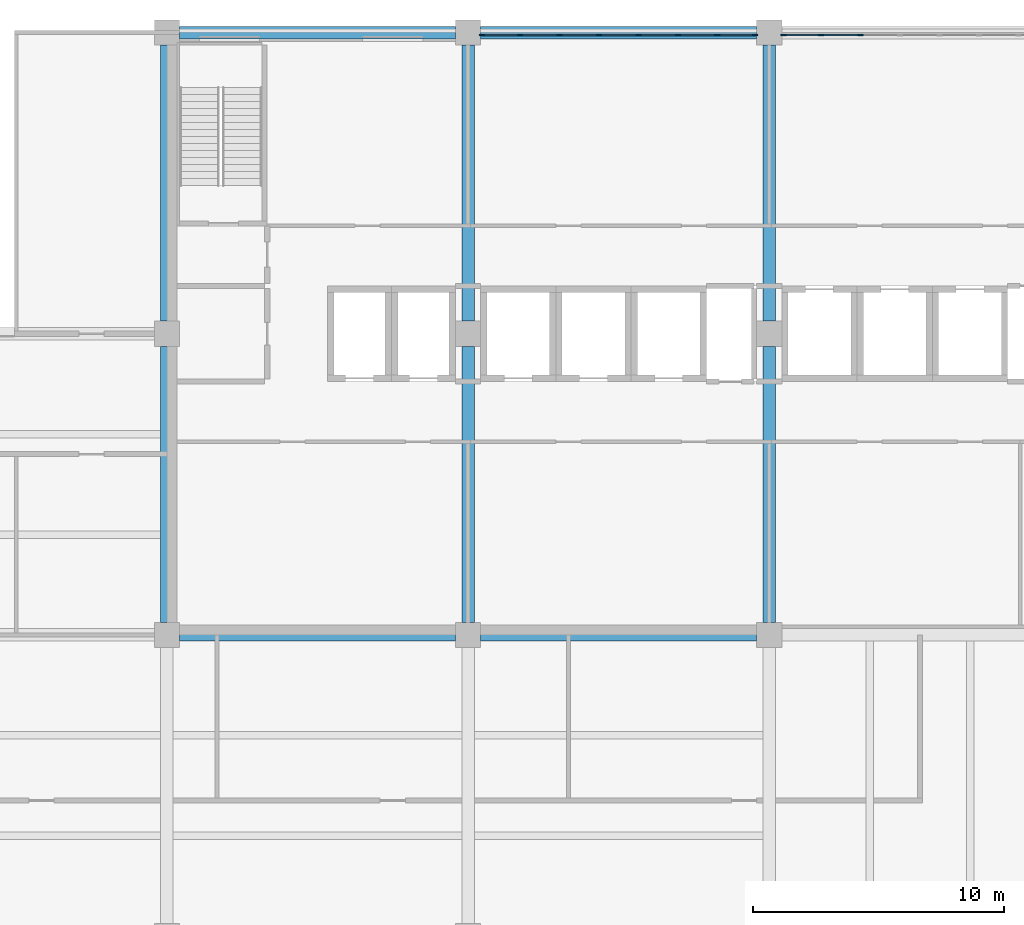
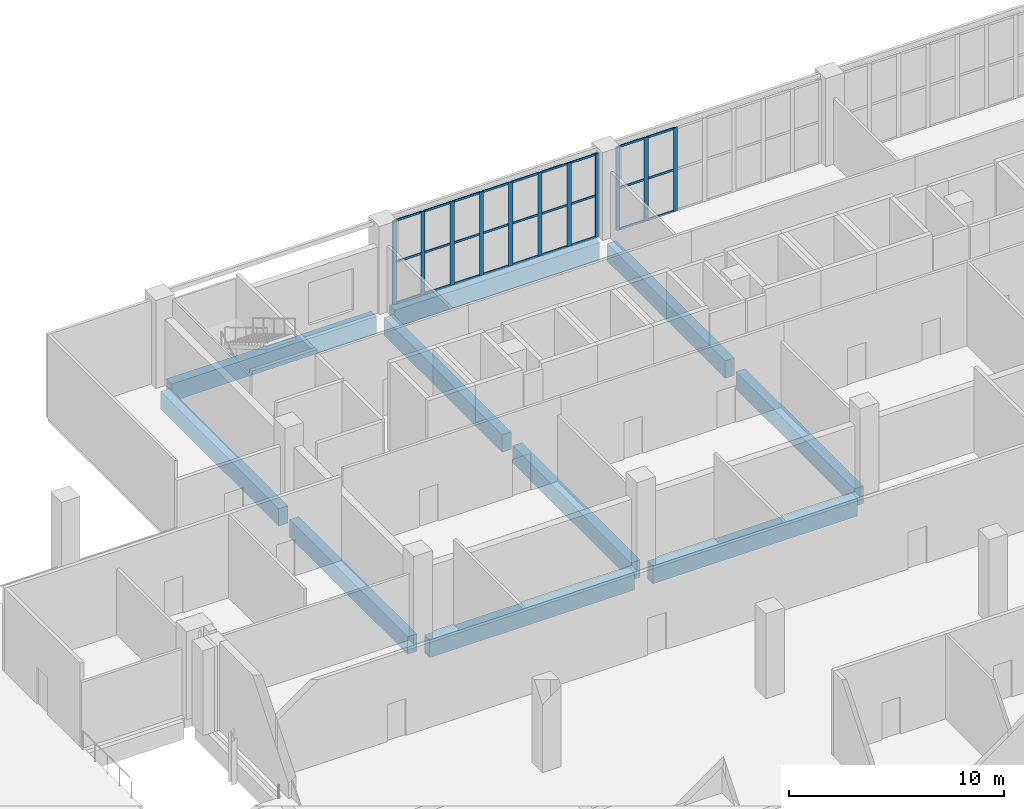
# One storey, part 39 of 69: 38 members, 10 beams, 2 elements without a shape of their own.
"""IFC4 building model written with IfcOpenShell, lengths in metres."""

from ifc_helpers import new_model, si_unit, direction, frame, origin, origin_2d, place, context, subcontext, project, spatial, rectangle, extrude, material, layer, layer_set, material_profile, profile_set, type_object, element, aggregate, save


model = new_model("IFC4")

# Units and contexts
model_context = context("Model", 3, precision=1e-05, world=origin(), true_north=direction((0.0, 1.0)))
body_context = subcontext(model_context, "Body", "Model", "MODEL_VIEW")
ifc_project = project(units=[si_unit("LENGTHUNIT", "METRE"), si_unit("AREAUNIT", "SQUARE_METRE"), si_unit("VOLUMEUNIT", "CUBIC_METRE"), si_unit("PLANEANGLEUNIT", "RADIAN"), si_unit("MASSUNIT", "GRAM", prefix="KILO")], contexts=[model_context])

# Site, building, storey
site_placement = place(None, origin())
site = spatial("IfcSite", under=ifc_project, at=site_placement, CompositionType="ELEMENT")
building_placement = place(site_placement, origin())
building = spatial("IfcBuilding", under=site, at=building_placement, Name="Lilac Gate Convention Centre", CompositionType="ELEMENT")
storey_placement = place(building_placement, frame((0.0, 0.0, 12.0)))
storey = spatial("IfcBuildingStorey", under=building, at=storey_placement, Name="L02", CompositionType="ELEMENT", Elevation=12.0)

# Curtain wall, members
ifc_material_1 = material(Name="Aluminium framed double glazing", Category="aluminium")
ifc_layer = layer(ifc_material_1, 0.199951171875)
ifc_layer_set = layer_set([ifc_layer], Name="Aluminium framed double glazing")
curtain_wall_type = type_object("IfcCurtainWallType", Name="Unitised curtain wall 1500", PredefinedType="NOTDEFINED", material=ifc_layer_set)
curtain_wall_1_placement = place(storey_placement, origin())
curtain_wall_1 = element("IfcCurtainWall", 1, at=curtain_wall_1_placement, inside=storey, type_object=curtain_wall_type, Name="Curtain wall N L02 2", PredefinedType="NOTDEFINED")
ifc_material_2 = material(Name="Aluminium alloy 6063", Category="aluminium")
ifc_material_profile_1 = material_profile(ifc_material_2, rectangle(XDim=0.06005859375, YDim=0.219970703125, at=origin_2d()), Name="Curtain wall mullion 60 x 220")
ifc_profile_set_1 = profile_set([ifc_material_profile_1], Name="Aluminium alloy 6063")
member_type_1 = type_object("IfcMemberType", Name="Curtain wall mullion 60 x 220", PredefinedType="MULLION", material=ifc_profile_set_1)
member_1_placement = place(storey_placement, frame((69.642822265625, 245.89990234375, 0.0), z_axis=(0.0, 0.0, 1.0), x_axis=(0.0, -1.0, 0.0)))
member_1 = element("IfcMember", 2, at=member_1_placement, type_object=member_type_1, Name="CW mullion 6", PredefinedType="MULLION", context=body_context, shape_type="SweptSolid", body=[
    extrude(rectangle(XDim=0.06005859375, YDim=0.219970703125, at=origin_2d()), origin(), (0.0, 0.0, 1.0), 4.75),
])
member_2_placement = place(storey_placement, frame((68.071533203125, 245.89990234375, 0.0), z_axis=(0.0, 0.0, 1.0), x_axis=(0.0, -1.0, 0.0)))
member_2 = element("IfcMember", 3, at=member_2_placement, type_object=member_type_1, Name="CW mullion 7", PredefinedType="MULLION", context=body_context, shape_type="SweptSolid", body=[
    extrude(rectangle(XDim=0.06005859375, YDim=0.219970703125, at=origin_2d()), origin(), (0.0, 0.0, 1.0), 4.75),
])
member_3_placement = place(storey_placement, frame((66.56005859375, 245.89990234375, 0.0), z_axis=(0.0, 0.0, 1.0), x_axis=(0.0, -1.0, 0.0)))
member_3 = element("IfcMember", 4, at=member_3_placement, type_object=member_type_1, Name="CW mullion 8", PredefinedType="MULLION", context=body_context, shape_type="SweptSolid", body=[
    extrude(rectangle(XDim=0.06005859375, YDim=0.219970703125, at=origin_2d()), origin(), (0.0, 0.0, 1.0), 4.75),
])

curtain_wall_2_placement = place(storey_placement, origin())
curtain_wall_2 = element("IfcCurtainWall", 5, at=curtain_wall_2_placement, inside=storey, type_object=curtain_wall_type, Name="Curtain wall N L02 3", PredefinedType="NOTDEFINED")
member_4_placement = place(storey_placement, frame((65.43994140625, 245.89990234375, 0.0), z_axis=(0.0, 0.0, 1.0), x_axis=(0.0, -1.0, 0.0)))
member_4 = element("IfcMember", 6, at=member_4_placement, type_object=member_type_1, Name="CW mullion 1", PredefinedType="MULLION", context=body_context, shape_type="SweptSolid", body=[
    extrude(rectangle(XDim=0.06005859375, YDim=0.219970703125, at=origin_2d()), origin(), (0.0, 0.0, 1.0), 4.75),
])
member_5_placement = place(storey_placement, frame((63.928466796875, 245.89990234375, 0.0), z_axis=(0.0, 0.0, 1.0), x_axis=(0.0, -1.0, 0.0)))
member_5 = element("IfcMember", 7, at=member_5_placement, type_object=member_type_1, Name="CW mullion 2", PredefinedType="MULLION", context=body_context, shape_type="SweptSolid", body=[
    extrude(rectangle(XDim=0.06005859375, YDim=0.219970703125, at=origin_2d()), origin(), (0.0, 0.0, 1.0), 4.75),
])
member_6_placement = place(storey_placement, frame((62.357177734375, 245.89990234375, 0.0), z_axis=(0.0, 0.0, 1.0), x_axis=(0.0, -1.0, 0.0)))
member_6 = element("IfcMember", 8, at=member_6_placement, type_object=member_type_1, Name="CW mullion 3", PredefinedType="MULLION", context=body_context, shape_type="SweptSolid", body=[
    extrude(rectangle(XDim=0.06005859375, YDim=0.219970703125, at=origin_2d()), origin(), (0.0, 0.0, 1.0), 4.75),
])
member_7_placement = place(storey_placement, frame((60.78564453125, 245.89990234375, 0.0), z_axis=(0.0, 0.0, 1.0), x_axis=(0.0, -1.0, 0.0)))
member_7 = element("IfcMember", 9, at=member_7_placement, type_object=member_type_1, Name="CW mullion 4", PredefinedType="MULLION", context=body_context, shape_type="SweptSolid", body=[
    extrude(rectangle(XDim=0.06005859375, YDim=0.219970703125, at=origin_2d()), origin(), (0.0, 0.0, 1.0), 4.75),
])
member_8_placement = place(storey_placement, frame((59.21435546875, 245.89990234375, 0.0), z_axis=(0.0, 0.0, 1.0), x_axis=(0.0, -1.0, 0.0)))
member_8 = element("IfcMember", 10, at=member_8_placement, type_object=member_type_1, Name="CW mullion 5", PredefinedType="MULLION", context=body_context, shape_type="SweptSolid", body=[
    extrude(rectangle(XDim=0.06005859375, YDim=0.219970703125, at=origin_2d()), origin(), (0.0, 0.0, 1.0), 4.75),
])
member_9_placement = place(storey_placement, frame((57.642822265625, 245.89990234375, 0.0), z_axis=(0.0, 0.0, 1.0), x_axis=(0.0, -1.0, 0.0)))
member_9 = element("IfcMember", 11, at=member_9_placement, type_object=member_type_1, Name="CW mullion 6", PredefinedType="MULLION", context=body_context, shape_type="SweptSolid", body=[
    extrude(rectangle(XDim=0.06005859375, YDim=0.219970703125, at=origin_2d()), origin(), (0.0, 0.0, 1.0), 4.75),
])
member_10_placement = place(storey_placement, frame((56.071533203125, 245.89990234375, 0.0), z_axis=(0.0, 0.0, 1.0), x_axis=(0.0, -1.0, 0.0)))
member_10 = element("IfcMember", 12, at=member_10_placement, type_object=member_type_1, Name="CW mullion 7", PredefinedType="MULLION", context=body_context, shape_type="SweptSolid", body=[
    extrude(rectangle(XDim=0.06005859375, YDim=0.219970703125, at=origin_2d()), origin(), (0.0, 0.0, 1.0), 4.75),
])
member_11_placement = place(storey_placement, frame((54.56005859375, 245.89990234375, 0.0), z_axis=(0.0, 0.0, 1.0), x_axis=(0.0, -1.0, 0.0)))
member_11 = element("IfcMember", 13, at=member_11_placement, type_object=member_type_1, Name="CW mullion 8", PredefinedType="MULLION", context=body_context, shape_type="SweptSolid", body=[
    extrude(rectangle(XDim=0.06005859375, YDim=0.219970703125, at=origin_2d()), origin(), (0.0, 0.0, 1.0), 4.75),
])

# Member
ifc_material_profile_2 = material_profile(ifc_material_2, rectangle(XDim=0.06005859375, YDim=0.1201171875, at=origin_2d()), Name="Curtain wall transom 60 x 120")
ifc_profile_set_2 = profile_set([ifc_material_profile_2], Name="Aluminium alloy 6063")
member_type_2 = type_object("IfcMemberType", Name="Curtain wall transom 60 x 120", PredefinedType="USERDEFINED", material=ifc_profile_set_2)
member_12_placement = place(storey_placement, frame((69.61279296875, 245.89990234375, 0.030029296875), z_axis=(-1.0, 0.0, 0.0), x_axis=(0.0, -1.0, 0.0)))
member_12 = element("IfcMember", 14, at=member_12_placement, type_object=member_type_2, Name="CW transom 6.1", ObjectType="TRANSOM", PredefinedType="USERDEFINED", context=body_context, shape_type="SweptSolid", body=[
    extrude(rectangle(XDim=0.06005859375, YDim=0.1201171875, at=origin_2d()), origin(), (0.0, 0.0, 1.0), 1.511474609375),
])

member_13_placement = place(storey_placement, frame((69.61279296875, 245.89990234375, 2.375), z_axis=(-1.0, 0.0, 0.0), x_axis=(0.0, -1.0, 0.0)))
member_13 = element("IfcMember", 15, at=member_13_placement, type_object=member_type_2, Name="CW transom 6.2", ObjectType="TRANSOM", PredefinedType="USERDEFINED", context=body_context, shape_type="SweptSolid", body=[
    extrude(rectangle(XDim=0.06005859375, YDim=0.1201171875, at=origin_2d()), origin(), (0.0, 0.0, 1.0), 1.511474609375),
])

member_14_placement = place(storey_placement, frame((69.61279296875, 245.89990234375, 4.719970703125), z_axis=(-1.0, 0.0, 0.0), x_axis=(0.0, -1.0, 0.0)))
member_14 = element("IfcMember", 16, at=member_14_placement, type_object=member_type_2, Name="CW transom 6.3", ObjectType="TRANSOM", PredefinedType="USERDEFINED", context=body_context, shape_type="SweptSolid", body=[
    extrude(rectangle(XDim=0.06005859375, YDim=0.1201171875, at=origin_2d()), origin(), (0.0, 0.0, 1.0), 1.511474609375),
])

member_15_placement = place(storey_placement, frame((68.04150390625, 245.89990234375, 0.030029296875), z_axis=(-1.0, 0.0, 0.0), x_axis=(0.0, -1.0, 0.0)))
member_15 = element("IfcMember", 17, at=member_15_placement, type_object=member_type_2, Name="CW transom 7.1", ObjectType="TRANSOM", PredefinedType="USERDEFINED", context=body_context, shape_type="SweptSolid", body=[
    extrude(rectangle(XDim=0.06005859375, YDim=0.1201171875, at=origin_2d()), origin(), (0.0, 0.0, 1.0), 1.4814453125),
])

member_16_placement = place(storey_placement, frame((68.04150390625, 245.89990234375, 2.375), z_axis=(-1.0, 0.0, 0.0), x_axis=(0.0, -1.0, 0.0)))
member_16 = element("IfcMember", 18, at=member_16_placement, type_object=member_type_2, Name="CW transom 7.2", ObjectType="TRANSOM", PredefinedType="USERDEFINED", context=body_context, shape_type="SweptSolid", body=[
    extrude(rectangle(XDim=0.06005859375, YDim=0.1201171875, at=origin_2d()), origin(), (0.0, 0.0, 1.0), 1.4814453125),
])

member_17_placement = place(storey_placement, frame((68.04150390625, 245.89990234375, 4.719970703125), z_axis=(-1.0, 0.0, 0.0), x_axis=(0.0, -1.0, 0.0)))
member_17 = element("IfcMember", 19, at=member_17_placement, type_object=member_type_2, Name="CW transom 7.3", ObjectType="TRANSOM", PredefinedType="USERDEFINED", context=body_context, shape_type="SweptSolid", body=[
    extrude(rectangle(XDim=0.06005859375, YDim=0.1201171875, at=origin_2d()), origin(), (0.0, 0.0, 1.0), 1.4814453125),
])

aggregate(curtain_wall_1, [member_1, member_2, member_3, member_12, member_13, member_14, member_15, member_16, member_17])

member_18_placement = place(storey_placement, frame((65.43994140625, 245.89990234375, 0.030029296875), z_axis=(-1.0, 0.0, 0.0), x_axis=(0.0, -1.0, 0.0)))
member_18 = element("IfcMember", 20, at=member_18_placement, type_object=member_type_2, Name="CW transom 1.1", ObjectType="TRANSOM", PredefinedType="USERDEFINED", context=body_context, shape_type="SweptSolid", body=[
    extrude(rectangle(XDim=0.06005859375, YDim=0.1201171875, at=origin_2d()), origin(), (0.0, 0.0, 1.0), 1.4814453125),
])

member_19_placement = place(storey_placement, frame((65.43994140625, 245.89990234375, 2.375), z_axis=(-1.0, 0.0, 0.0), x_axis=(0.0, -1.0, 0.0)))
member_19 = element("IfcMember", 21, at=member_19_placement, type_object=member_type_2, Name="CW transom 1.2", ObjectType="TRANSOM", PredefinedType="USERDEFINED", context=body_context, shape_type="SweptSolid", body=[
    extrude(rectangle(XDim=0.06005859375, YDim=0.1201171875, at=origin_2d()), origin(), (0.0, 0.0, 1.0), 1.4814453125),
])

member_20_placement = place(storey_placement, frame((65.43994140625, 245.89990234375, 4.719970703125), z_axis=(-1.0, 0.0, 0.0), x_axis=(0.0, -1.0, 0.0)))
member_20 = element("IfcMember", 22, at=member_20_placement, type_object=member_type_2, Name="CW transom 1.3", ObjectType="TRANSOM", PredefinedType="USERDEFINED", context=body_context, shape_type="SweptSolid", body=[
    extrude(rectangle(XDim=0.06005859375, YDim=0.1201171875, at=origin_2d()), origin(), (0.0, 0.0, 1.0), 1.4814453125),
])

member_21_placement = place(storey_placement, frame((63.898681640625, 245.89990234375, 0.030029296875), z_axis=(-1.0, 0.0, 0.0), x_axis=(0.0, -1.0, 0.0)))
member_21 = element("IfcMember", 23, at=member_21_placement, type_object=member_type_2, Name="CW transom 2.1", ObjectType="TRANSOM", PredefinedType="USERDEFINED", context=body_context, shape_type="SweptSolid", body=[
    extrude(rectangle(XDim=0.06005859375, YDim=0.1201171875, at=origin_2d()), origin(), (0.0, 0.0, 1.0), 1.511474609375),
])

member_22_placement = place(storey_placement, frame((63.898681640625, 245.89990234375, 2.375), z_axis=(-1.0, 0.0, 0.0), x_axis=(0.0, -1.0, 0.0)))
member_22 = element("IfcMember", 24, at=member_22_placement, type_object=member_type_2, Name="CW transom 2.2", ObjectType="TRANSOM", PredefinedType="USERDEFINED", context=body_context, shape_type="SweptSolid", body=[
    extrude(rectangle(XDim=0.06005859375, YDim=0.1201171875, at=origin_2d()), origin(), (0.0, 0.0, 1.0), 1.511474609375),
])

member_23_placement = place(storey_placement, frame((63.898681640625, 245.89990234375, 4.719970703125), z_axis=(-1.0, 0.0, 0.0), x_axis=(0.0, -1.0, 0.0)))
member_23 = element("IfcMember", 25, at=member_23_placement, type_object=member_type_2, Name="CW transom 2.3", ObjectType="TRANSOM", PredefinedType="USERDEFINED", context=body_context, shape_type="SweptSolid", body=[
    extrude(rectangle(XDim=0.06005859375, YDim=0.1201171875, at=origin_2d()), origin(), (0.0, 0.0, 1.0), 1.511474609375),
])

member_24_placement = place(storey_placement, frame((62.3271484375, 245.89990234375, 0.030029296875), z_axis=(-1.0, 0.0, 0.0), x_axis=(0.0, -1.0, 0.0)))
member_24 = element("IfcMember", 26, at=member_24_placement, type_object=member_type_2, Name="CW transom 3.1", ObjectType="TRANSOM", PredefinedType="USERDEFINED", context=body_context, shape_type="SweptSolid", body=[
    extrude(rectangle(XDim=0.06005859375, YDim=0.1201171875, at=origin_2d()), origin(), (0.0, 0.0, 1.0), 1.511474609375),
])

member_25_placement = place(storey_placement, frame((62.3271484375, 245.89990234375, 2.375), z_axis=(-1.0, 0.0, 0.0), x_axis=(0.0, -1.0, 0.0)))
member_25 = element("IfcMember", 27, at=member_25_placement, type_object=member_type_2, Name="CW transom 3.2", ObjectType="TRANSOM", PredefinedType="USERDEFINED", context=body_context, shape_type="SweptSolid", body=[
    extrude(rectangle(XDim=0.06005859375, YDim=0.1201171875, at=origin_2d()), origin(), (0.0, 0.0, 1.0), 1.511474609375),
])

member_26_placement = place(storey_placement, frame((62.3271484375, 245.89990234375, 4.719970703125), z_axis=(-1.0, 0.0, 0.0), x_axis=(0.0, -1.0, 0.0)))
member_26 = element("IfcMember", 28, at=member_26_placement, type_object=member_type_2, Name="CW transom 3.3", ObjectType="TRANSOM", PredefinedType="USERDEFINED", context=body_context, shape_type="SweptSolid", body=[
    extrude(rectangle(XDim=0.06005859375, YDim=0.1201171875, at=origin_2d()), origin(), (0.0, 0.0, 1.0), 1.511474609375),
])

member_27_placement = place(storey_placement, frame((60.755615234375, 245.89990234375, 0.030029296875), z_axis=(-1.0, 0.0, 0.0), x_axis=(0.0, -1.0, 0.0)))
member_27 = element("IfcMember", 29, at=member_27_placement, type_object=member_type_2, Name="CW transom 4.1", ObjectType="TRANSOM", PredefinedType="USERDEFINED", context=body_context, shape_type="SweptSolid", body=[
    extrude(rectangle(XDim=0.06005859375, YDim=0.1201171875, at=origin_2d()), origin(), (0.0, 0.0, 1.0), 1.51123046875),
])

member_28_placement = place(storey_placement, frame((60.755615234375, 245.89990234375, 2.375), z_axis=(-1.0, 0.0, 0.0), x_axis=(0.0, -1.0, 0.0)))
member_28 = element("IfcMember", 30, at=member_28_placement, type_object=member_type_2, Name="CW transom 4.2", ObjectType="TRANSOM", PredefinedType="USERDEFINED", context=body_context, shape_type="SweptSolid", body=[
    extrude(rectangle(XDim=0.06005859375, YDim=0.1201171875, at=origin_2d()), origin(), (0.0, 0.0, 1.0), 1.51123046875),
])

member_29_placement = place(storey_placement, frame((60.755615234375, 245.89990234375, 4.719970703125), z_axis=(-1.0, 0.0, 0.0), x_axis=(0.0, -1.0, 0.0)))
member_29 = element("IfcMember", 31, at=member_29_placement, type_object=member_type_2, Name="CW transom 4.3", ObjectType="TRANSOM", PredefinedType="USERDEFINED", context=body_context, shape_type="SweptSolid", body=[
    extrude(rectangle(XDim=0.06005859375, YDim=0.1201171875, at=origin_2d()), origin(), (0.0, 0.0, 1.0), 1.51123046875),
])

member_30_placement = place(storey_placement, frame((59.184326171875, 245.89990234375, 0.030029296875), z_axis=(-1.0, 0.0, 0.0), x_axis=(0.0, -1.0, 0.0)))
member_30 = element("IfcMember", 32, at=member_30_placement, type_object=member_type_2, Name="CW transom 5.1", ObjectType="TRANSOM", PredefinedType="USERDEFINED", context=body_context, shape_type="SweptSolid", body=[
    extrude(rectangle(XDim=0.06005859375, YDim=0.1201171875, at=origin_2d()), origin(), (0.0, 0.0, 1.0), 1.511474609375),
])

member_31_placement = place(storey_placement, frame((59.184326171875, 245.89990234375, 2.375), z_axis=(-1.0, 0.0, 0.0), x_axis=(0.0, -1.0, 0.0)))
member_31 = element("IfcMember", 33, at=member_31_placement, type_object=member_type_2, Name="CW transom 5.2", ObjectType="TRANSOM", PredefinedType="USERDEFINED", context=body_context, shape_type="SweptSolid", body=[
    extrude(rectangle(XDim=0.06005859375, YDim=0.1201171875, at=origin_2d()), origin(), (0.0, 0.0, 1.0), 1.511474609375),
])

member_32_placement = place(storey_placement, frame((59.184326171875, 245.89990234375, 4.719970703125), z_axis=(-1.0, 0.0, 0.0), x_axis=(0.0, -1.0, 0.0)))
member_32 = element("IfcMember", 34, at=member_32_placement, type_object=member_type_2, Name="CW transom 5.3", ObjectType="TRANSOM", PredefinedType="USERDEFINED", context=body_context, shape_type="SweptSolid", body=[
    extrude(rectangle(XDim=0.06005859375, YDim=0.1201171875, at=origin_2d()), origin(), (0.0, 0.0, 1.0), 1.511474609375),
])

member_33_placement = place(storey_placement, frame((57.61279296875, 245.89990234375, 0.030029296875), z_axis=(-1.0, 0.0, 0.0), x_axis=(0.0, -1.0, 0.0)))
member_33 = element("IfcMember", 35, at=member_33_placement, type_object=member_type_2, Name="CW transom 6.1", ObjectType="TRANSOM", PredefinedType="USERDEFINED", context=body_context, shape_type="SweptSolid", body=[
    extrude(rectangle(XDim=0.06005859375, YDim=0.1201171875, at=origin_2d()), origin(), (0.0, 0.0, 1.0), 1.511474609375),
])

member_34_placement = place(storey_placement, frame((57.61279296875, 245.89990234375, 2.375), z_axis=(-1.0, 0.0, 0.0), x_axis=(0.0, -1.0, 0.0)))
member_34 = element("IfcMember", 36, at=member_34_placement, type_object=member_type_2, Name="CW transom 6.2", ObjectType="TRANSOM", PredefinedType="USERDEFINED", context=body_context, shape_type="SweptSolid", body=[
    extrude(rectangle(XDim=0.06005859375, YDim=0.1201171875, at=origin_2d()), origin(), (0.0, 0.0, 1.0), 1.511474609375),
])

member_35_placement = place(storey_placement, frame((57.61279296875, 245.89990234375, 4.719970703125), z_axis=(-1.0, 0.0, 0.0), x_axis=(0.0, -1.0, 0.0)))
member_35 = element("IfcMember", 37, at=member_35_placement, type_object=member_type_2, Name="CW transom 6.3", ObjectType="TRANSOM", PredefinedType="USERDEFINED", context=body_context, shape_type="SweptSolid", body=[
    extrude(rectangle(XDim=0.06005859375, YDim=0.1201171875, at=origin_2d()), origin(), (0.0, 0.0, 1.0), 1.511474609375),
])

member_36_placement = place(storey_placement, frame((56.04150390625, 245.89990234375, 0.030029296875), z_axis=(-1.0, 0.0, 0.0), x_axis=(0.0, -1.0, 0.0)))
member_36 = element("IfcMember", 38, at=member_36_placement, type_object=member_type_2, Name="CW transom 7.1", ObjectType="TRANSOM", PredefinedType="USERDEFINED", context=body_context, shape_type="SweptSolid", body=[
    extrude(rectangle(XDim=0.06005859375, YDim=0.1201171875, at=origin_2d()), origin(), (0.0, 0.0, 1.0), 1.4814453125),
])

member_37_placement = place(storey_placement, frame((56.04150390625, 245.89990234375, 2.375), z_axis=(-1.0, 0.0, 0.0), x_axis=(0.0, -1.0, 0.0)))
member_37 = element("IfcMember", 39, at=member_37_placement, type_object=member_type_2, Name="CW transom 7.2", ObjectType="TRANSOM", PredefinedType="USERDEFINED", context=body_context, shape_type="SweptSolid", body=[
    extrude(rectangle(XDim=0.06005859375, YDim=0.1201171875, at=origin_2d()), origin(), (0.0, 0.0, 1.0), 1.4814453125),
])

member_38_placement = place(storey_placement, frame((56.04150390625, 245.89990234375, 4.719970703125), z_axis=(-1.0, 0.0, 0.0), x_axis=(0.0, -1.0, 0.0)))
member_38 = element("IfcMember", 40, at=member_38_placement, type_object=member_type_2, Name="CW transom 7.3", ObjectType="TRANSOM", PredefinedType="USERDEFINED", context=body_context, shape_type="SweptSolid", body=[
    extrude(rectangle(XDim=0.06005859375, YDim=0.1201171875, at=origin_2d()), origin(), (0.0, 0.0, 1.0), 1.4814453125),
])

aggregate(curtain_wall_2, [member_4, member_5, member_6, member_7, member_8, member_9, member_10, member_11, member_18, member_19, member_20, member_21, member_22, member_23, member_24, member_25, member_26, member_27, member_28, member_29, member_30, member_31, member_32, member_33, member_34, member_35, member_36, member_37, member_38])

# Beams
ifc_material_3 = material(Name="Concrete C40", Category="concrete")
ifc_material_profile_3 = material_profile(ifc_material_3, rectangle(XDim=0.5, YDim=1.0, at=origin_2d()), Name="RC 500x1000")
ifc_profile_set_3 = profile_set([ifc_material_profile_3], Name="Concrete C40")
beam_type = type_object("IfcBeamType", Name="Primary beam 500x1000 C40", PredefinedType="BEAM", material=ifc_profile_set_3)
for number, where, z_axis, x_axis, name in (
    (41, (42.5, 222.0, -0.75), (1.0, 0.0, 0.0), (0.0, 1.0, 0.0), "RB1 L02 4/S-5/S"),
    (42, (54.5, 222.0, -0.75), (1.0, 0.0, 0.0), (0.0, 1.0, 0.0), "RB1 L02 5/S-6/S"),
    (43, (42.5, 246.0, -0.75), (1.0, 0.0, 0.0), (0.0, 1.0, 0.0), "RB1 L02 4/U-5/U"),
    (44, (54.5, 246.0, -0.75), (1.0, 0.0, 0.0), (0.0, 1.0, 0.0), "RB1 L02 5/U-6/U"),
    (45, (42.0, 222.5, -0.75), (0.0, 1.0, 0.0), (-1.0, 0.0, 0.0), "RB1 L02 4/S-4/T"),
    (46, (42.0, 234.5, -0.75), (0.0, 1.0, 0.0), (-1.0, 0.0, 0.0), "RB1 L02 4/T-4/U"),
    (47, (54.0, 222.5, -0.75), (0.0, 1.0, 0.0), (-1.0, 0.0, 0.0), "RB1 L02 5/S-5/T"),
    (48, (54.0, 234.5, -0.75), (0.0, 1.0, 0.0), (-1.0, 0.0, 0.0), "RB1 L02 5/T-5/U"),
    (49, (66.0, 222.5, -0.75), (0.0, 1.0, 0.0), (-1.0, 0.0, 0.0), "RB1 L02 6/S-6/T"),
    (50, (66.0, 234.5, -0.75), (0.0, 1.0, 0.0), (-1.0, 0.0, 0.0), "RB1 L02 6/T-6/U"),
):
    element("IfcBeam", number, at=place(storey_placement, frame(where, z_axis=z_axis, x_axis=x_axis)), inside=storey, type_object=beam_type, Name=name, PredefinedType="BEAM", context=body_context, shape_type="SweptSolid", body=[
        extrude(rectangle(XDim=0.5, YDim=1.0, at=origin_2d()), origin(), (0.0, 0.0, 1.0), 11.0),
    ])

save(model, "model.ifc")
